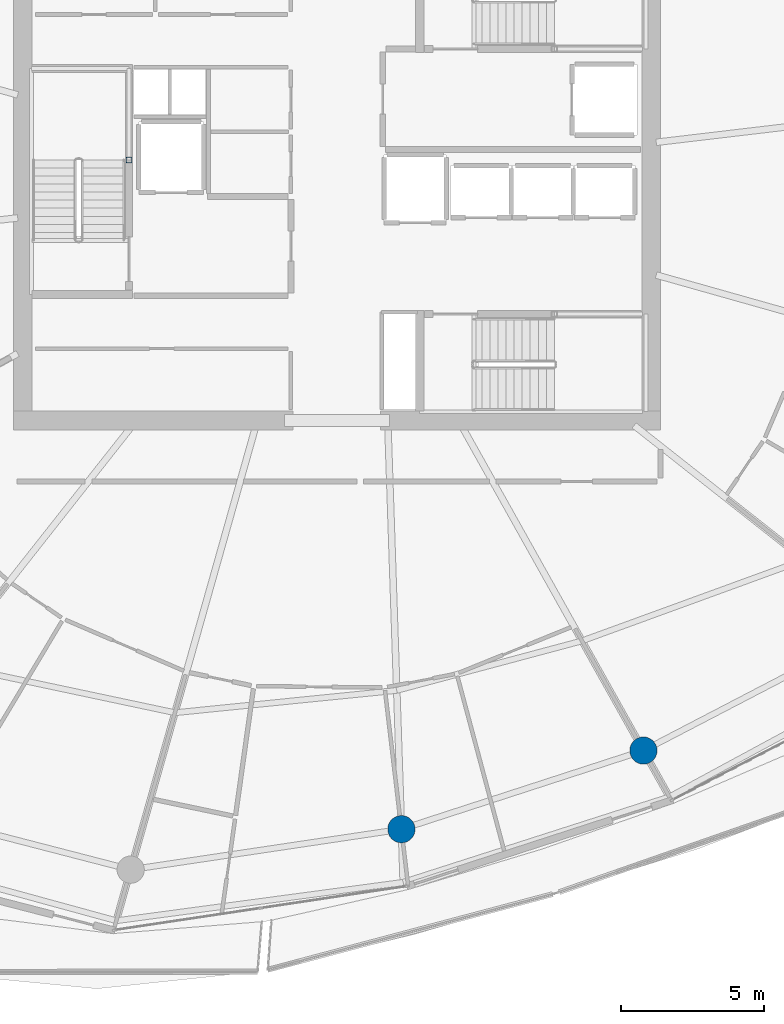
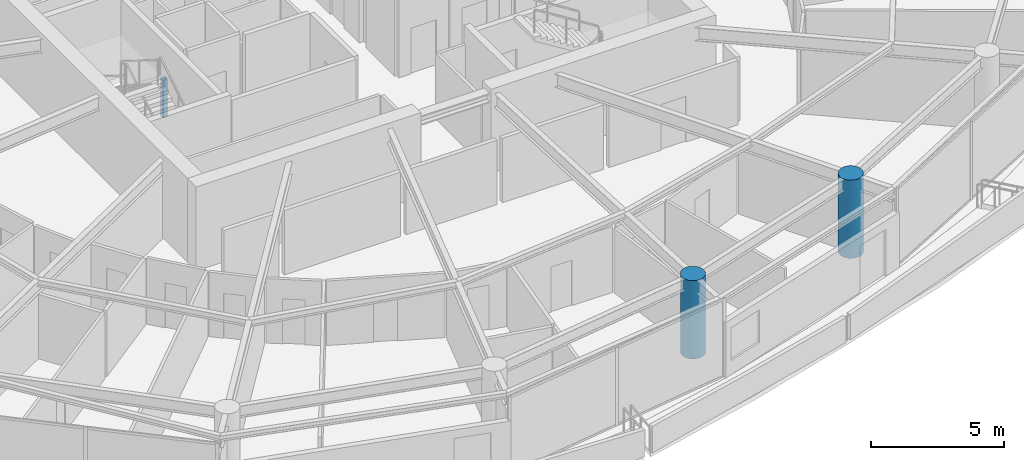
# One storey, part 2 of 31: 3 columns.
"""IFC4 building model written with IfcOpenShell, lengths in metres."""

import ifcopenshell
import ifcopenshell.guid

model = None  # the IFC model being written
_history = None  # IfcOwnerHistory: only IFC2X3 demands one
_inside = {}  # id of a spatial element -> (the spatial element, [elements in it])
_under = {}  # id of a project, library or spatial element -> (it, [spatial elements below it])
_declared = {}  # id of a project -> (the project, [libraries it declares])
_typed = {}  # id of a type object -> (the type object, [elements of that type])
_made_of = {}  # id of a material, layer set ... -> (it, [elements and type objects made of it])


def new_model(schema):
    """Start an empty IFC model of exactly this schema.

    Asked for "IFC4X3", IfcOpenShell would pick the latest addendum, in which some entities
    have other attributes; the version numbers below select the first issue.
    IFC2X3 requires an IfcOwnerHistory on every rooted entity: one is made here for all.
    """
    global model, _history
    if schema == "IFC4X3":
        model = ifcopenshell.file(schema_version=(4, 3, 0, 0))
    else:
        model = ifcopenshell.file(schema=schema)
    _inside.clear()
    _under.clear()
    _declared.clear()
    _typed.clear()
    _made_of.clear()
    _history = None
    if model.schema == "IFC2X3":
        org = make("IfcOrganization", Name="unknown")
        user = make(
            "IfcPersonAndOrganization",
            ThePerson=make("IfcPerson", FamilyName="unknown"),
            TheOrganization=org,
        )
        app = make(
            "IfcApplication",
            ApplicationDeveloper=org,
            Version="unknown",
            ApplicationFullName="unknown",
            ApplicationIdentifier="unknown",
        )
        _history = make(
            "IfcOwnerHistory",
            OwningUser=user,
            OwningApplication=app,
            ChangeAction="ADDED",
            CreationDate=0,
        )
    return model


def make(cls, **values):
    """One entity of the class cls with the attributes given. An attribute that is None is left unset."""
    return model.create_entity(
        cls, **{name: value for name, value in values.items() if value is not None}
    )


def rooted(cls, **values):
    """An entity with a GlobalId (a new one), such as an element, a storey or a relation."""
    return make(cls, GlobalId=ifcopenshell.guid.new(), OwnerHistory=_history, **values)


def si_unit(unit_type, name, prefix=None):
    """IfcSIUnit, for example si_unit("LENGTHUNIT", "METRE", prefix="MILLI")."""
    return make("IfcSIUnit", UnitType=unit_type, Prefix=prefix, Name=name)


def assignment(units):
    """IfcUnitAssignment: the units of a project."""
    return None if units is None else make("IfcUnitAssignment", Units=units)


def point(xyz):
    """IfcCartesianPoint."""
    return None if xyz is None else make("IfcCartesianPoint", Coordinates=xyz)


def direction(xyz):
    """IfcDirection."""
    return None if xyz is None else make("IfcDirection", DirectionRatios=xyz)


def frame(location, z_axis=None, x_axis=None):
    """IfcAxis2Placement3D, a coordinate frame: its origin and axes. An axis left out is left unset."""
    return make(
        "IfcAxis2Placement3D",
        Location=point(location),
        Axis=direction(z_axis),
        RefDirection=direction(x_axis),
    )


def frame_2d(location, x_axis=None):
    """IfcAxis2Placement2D, a coordinate frame in the plane: its origin and x axis."""
    return make(
        "IfcAxis2Placement2D", Location=point(location), RefDirection=direction(x_axis)
    )


def origin():
    """The frame at (0, 0, 0) with its axes left unset."""
    return frame((0.0, 0.0, 0.0))


def origin_2d():
    """The frame at (0, 0) in the plane with its x axis left unset."""
    return frame_2d((0.0, 0.0))


def place(relative_to, where):
    """IfcLocalPlacement: puts the frame where relative to a parent placement (None: the world)."""
    return make(
        "IfcLocalPlacement", PlacementRelTo=relative_to, RelativePlacement=where
    )


def context(
    kind, dimensions, precision=None, world=None, true_north=None, identifier=None
):
    """IfcGeometricRepresentationContext, for example the 3D "Model" context."""
    return make(
        "IfcGeometricRepresentationContext",
        ContextIdentifier=identifier,
        ContextType=kind,
        CoordinateSpaceDimension=dimensions,
        Precision=precision,
        WorldCoordinateSystem=world,
        TrueNorth=true_north,
    )


def subcontext(parent, identifier, kind, view, scale=None):
    """IfcGeometricRepresentationSubContext, for example "Body" below "Model"."""
    return make(
        "IfcGeometricRepresentationSubContext",
        ContextIdentifier=identifier,
        ContextType=kind,
        ParentContext=parent,
        TargetScale=scale,
        TargetView=view,
    )


def project(units=None, contexts=None):
    """IfcProject with its units and contexts."""
    return rooted(
        "IfcProject",
        Name="project",
        RepresentationContexts=contexts,
        UnitsInContext=assignment(units),
    )


def spatial(cls, under=None, at=None, **own):
    """A site, building, storey or space (cls), placed at a placement, below another one or the project."""
    s = rooted(cls, ObjectPlacement=at, **own)
    if under is not None:
        _under.setdefault(under.id(), (under, []))[1].append(s)
    return s


def profile(cls, at=None, kind="AREA", **sizes):
    """A parametric profile (cls). Its sizes go by their IFC names, for example OverallWidth=200.0."""
    return make(cls, ProfileType=kind, Position=at, **sizes)


def hollow_rectangle(**sizes):
    """IfcRectangleHollowProfileDef."""
    return profile("IfcRectangleHollowProfileDef", **sizes)


def circle(**sizes):
    """IfcCircleProfileDef."""
    return profile("IfcCircleProfileDef", **sizes)


def extrude(swept, where, along, depth):
    """IfcExtrudedAreaSolid: the profile swept, set in the frame where, extruded along a direction by depth."""
    return make(
        "IfcExtrudedAreaSolid",
        SweptArea=swept,
        Position=where,
        ExtrudedDirection=direction(along),
        Depth=depth,
    )


def shape(context_of_items, identifier, shape_type, items):
    """IfcShapeRepresentation: the items that make up one representation, for example the "Body"."""
    return make(
        "IfcShapeRepresentation",
        ContextOfItems=context_of_items,
        RepresentationIdentifier=identifier,
        RepresentationType=shape_type,
        Items=items,
    )


def material(Name=None, Category=None):
    """IfcMaterial."""
    return make("IfcMaterial", Name=Name, Category=Category)


def material_profile(
    of_material, cross_section, Name=None, Category=None, Priority=None
):
    """IfcMaterialProfile: a cross section and its material."""
    return make(
        "IfcMaterialProfile",
        Name=Name,
        Material=of_material,
        Profile=cross_section,
        Priority=Priority,
        Category=Category,
    )


def profile_set(profiles, Name=None, composite=None):
    """IfcMaterialProfileSet."""
    return make(
        "IfcMaterialProfileSet",
        Name=Name,
        MaterialProfiles=profiles,
        CompositeProfile=composite,
    )


def made_of(thing, what):
    """Note that an element or type object is made of a material, layer set ...; save() writes the relation."""
    if what is not None:
        _made_of.setdefault(what.id(), (what, []))[1].append(thing)
    return thing


def type_object(cls, material=None, **own):
    """A type object (cls), such as IfcWallType, which elements share."""
    return made_of(rooted(cls, **own), material)


def element(
    cls,
    number,
    at=None,
    inside=None,
    cuts=None,
    type_object=None,
    material=None,
    context=None,
    identifier="Body",
    shape_type=None,
    held_by="IfcProductDefinitionShape",
    body=None,
    shapes=None,
    **own,
):
    """One element of the class cls, such as IfcWall. Its Tag is "e" and its number.

    at: its placement. inside: the storey or other place that contains it. cuts: it is an
    opening in that element (IfcRelVoidsElement). A single representation is given by context,
    identifier, shape_type and body (its items); several are given by shapes. held_by: the class
    of the entity that holds the representations. save() writes the other relations.
    """
    e = rooted(cls, Tag="e%d" % number, ObjectPlacement=at, **own)
    if body is not None:
        shapes = [shape(context, identifier, shape_type, body)]
    if shapes is not None:
        e.Representation = make(held_by, Representations=shapes)
    if inside is not None:
        _inside.setdefault(inside.id(), (inside, []))[1].append(e)
    if cuts is not None:
        rooted(
            "IfcRelVoidsElement", RelatingBuildingElement=cuts, RelatedOpeningElement=e
        )
    if type_object is not None:
        _typed.setdefault(type_object.id(), (type_object, []))[1].append(e)
    return made_of(e, material)


def aggregate(whole, parts):
    """IfcRelAggregates: a whole, such as a stair, and the parts it consists of."""
    return rooted("IfcRelAggregates", RelatingObject=whole, RelatedObjects=parts)


def save(model, path):
    """Write the relations noted so far, then the file.

    IfcRelAggregates (storeys below a building ...), IfcRelContainedInSpatialStructure (elements
    in a storey), IfcRelDefinesByType, IfcRelAssociatesMaterial and IfcRelDeclares: one each for
    every whole, place, type object, material and project.
    """
    for whole, parts in _under.values():
        aggregate(whole, parts)
    for where, things in _inside.values():
        rooted(
            "IfcRelContainedInSpatialStructure",
            RelatedElements=things,
            RelatingStructure=where,
        )
    for kind, things in _typed.values():
        rooted("IfcRelDefinesByType", RelatedObjects=things, RelatingType=kind)
    for what, things in _made_of.values():
        rooted("IfcRelAssociatesMaterial", RelatedObjects=things, RelatingMaterial=what)
    for by, libraries in _declared.values():
        rooted("IfcRelDeclares", RelatingContext=by, RelatedDefinitions=libraries)
    model.write(path)


model = new_model("IFC4")

# Units and contexts
model_context = context("Model", 3, precision=1e-05, world=origin(), true_north=direction((0.0, 1.0)))
body_context = subcontext(model_context, "Body", "Model", "MODEL_VIEW")
ifc_project = project(units=[si_unit("LENGTHUNIT", "METRE"), si_unit("AREAUNIT", "SQUARE_METRE"), si_unit("VOLUMEUNIT", "CUBIC_METRE"), si_unit("PLANEANGLEUNIT", "RADIAN"), si_unit("MASSUNIT", "GRAM", prefix="KILO")], contexts=[model_context])

# Site, building, storey
site_placement = place(None, origin())
site = spatial("IfcSite", under=ifc_project, at=site_placement, CompositionType="ELEMENT")
building_placement = place(site_placement, origin())
building = spatial("IfcBuilding", under=site, at=building_placement, Name="Kazma Halo Residences", CompositionType="ELEMENT")
storey_placement = place(building_placement, frame((0.0, 0.0, 248.25)))
storey = spatial("IfcBuildingStorey", under=building, at=storey_placement, Name="L62", CompositionType="ELEMENT", Elevation=248.25)

# Columns
ifc_material_1 = material(Name="Steel S355", Category="steel")
ifc_material_profile_1 = material_profile(ifc_material_1, hollow_rectangle(XDim=0.199951171875, YDim=0.199951171875, WallThickness=0.010009765625, InnerFilletRadius=0.010009765625, OuterFilletRadius=0.02001953125, at=origin_2d()), Name="SHS200x200x10")
ifc_profile_set_1 = profile_set([ifc_material_profile_1], Name="Steel S355")
column_type_1 = type_object("IfcColumnType", Name="COL-LP-SHS200", PredefinedType="COLUMN", material=ifc_profile_set_1)
column_placement = place(storey_placement, frame((41.179931640625, 42.75, 0.0), z_axis=(0.0, 0.0, 1.0), x_axis=(1.0, 0.0, 0.0)))
element("IfcColumn", 1, at=column_placement, inside=storey, type_object=column_type_1, Name="L62 ST-01 landing pilaster 1", PredefinedType="COLUMN", context=body_context, shape_type="SweptSolid", body=[
    extrude(hollow_rectangle(XDim=0.199951171875, YDim=0.199951171875, WallThickness=0.010009765625, InnerFilletRadius=0.010009765625, OuterFilletRadius=0.02001953125, at=origin_2d()), origin(), (0.0, 0.0, 1.0), 1.719970703125),
])
ifc_material_2 = material(Name="Concrete C60/75", Category="concrete")
ifc_material_profile_2 = material_profile(ifc_material_2, circle(Radius=0.47509765625, at=origin_2d()), Name="CIRC950")
ifc_profile_set_2 = profile_set([ifc_material_profile_2], Name="Concrete C60/75")
column_type_2 = type_object("IfcColumnType", Name="COL-PERIM-950", PredefinedType="COLUMN", material=ifc_profile_set_2)
for number, where, z_axis, x_axis, name in (
    (2, (50.67138671875, 19.42919921875, 0.0), (0.0, 0.0, 1.0), (1.0, 0.0, 0.0), "L62 perimeter ring column P12"),
    (3, (59.10546875, 22.169677734375, 0.0), (0.0, 0.0, 1.0), (1.0, 0.0, 0.0), "L62 perimeter ring column P13"),
):
    element("IfcColumn", number, at=place(storey_placement, frame(where, z_axis=z_axis, x_axis=x_axis)), inside=storey, type_object=column_type_2, Name=name, PredefinedType="COLUMN", context=body_context, shape_type="SweptSolid", body=[
        extrude(circle(Radius=0.47509765625, at=origin_2d()), origin(), (0.0, 0.0, 1.0), 3.590087890625),
    ])

save(model, "model.ifc")
